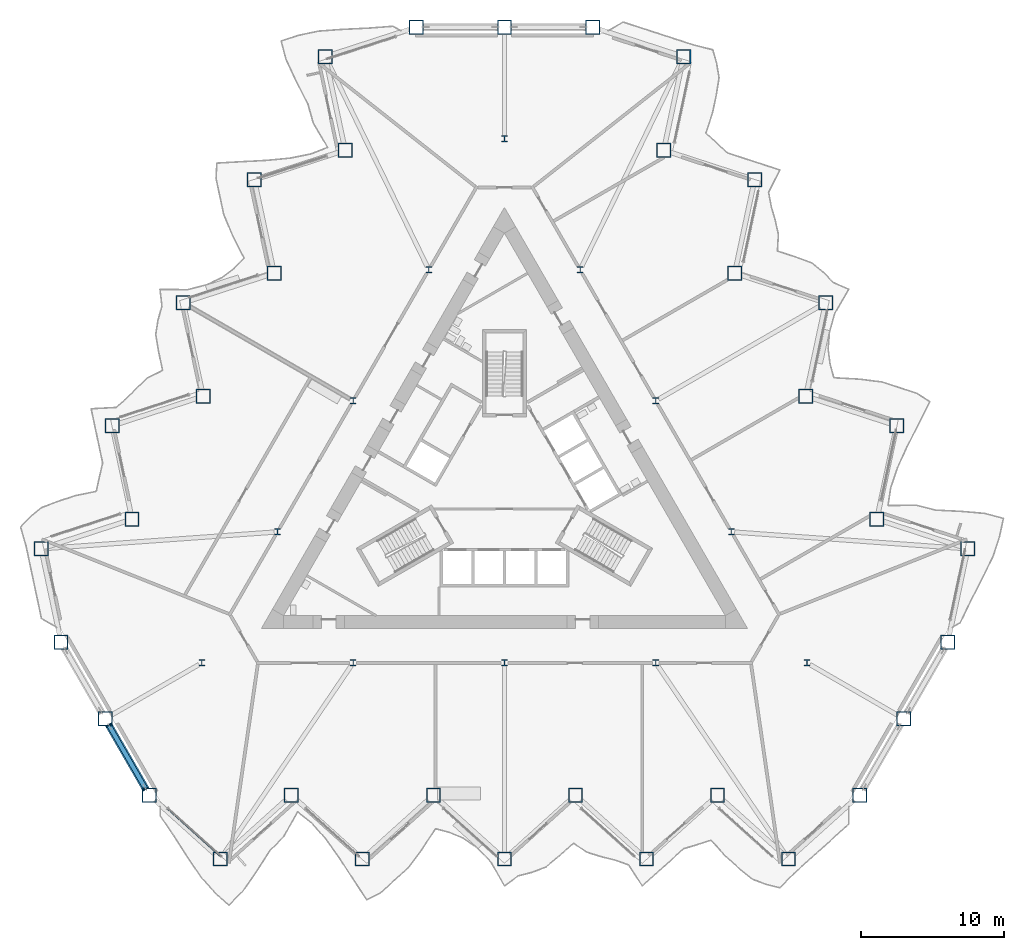
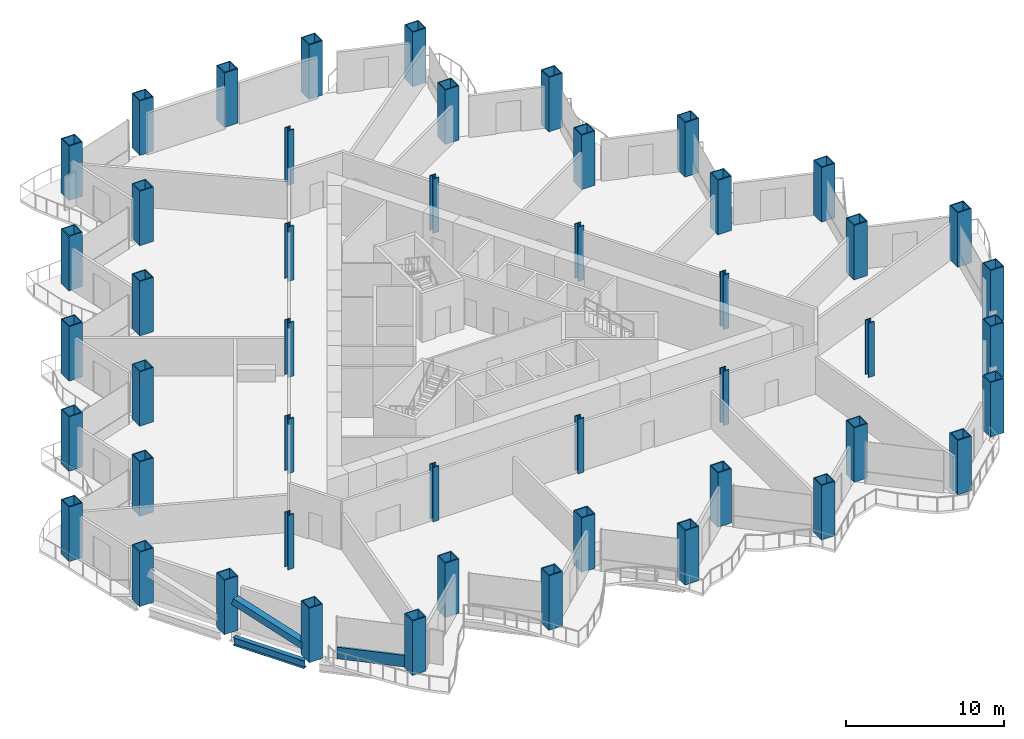
# One storey, part 1 of 20: 48 columns, 2 members, 1 beam, 1 element without a shape of its own.
"""IFC4 building model written with IfcOpenShell, lengths in metres."""

from ifc_helpers import new_model, si_unit, direction, frame, origin, origin_2d, place, context, subcontext, project, spatial, rectangle, hollow_rectangle, i_section, extrude, material, layer, layer_set, material_profile, profile_set, type_object, element, aggregate, save


model = new_model("IFC4")

# Units and contexts
model_context = context("Model", 3, precision=1e-05, world=origin(), true_north=direction((0.0, 1.0)))
body_context = subcontext(model_context, "Body", "Model", "MODEL_VIEW")
ifc_project = project(units=[si_unit("LENGTHUNIT", "METRE"), si_unit("AREAUNIT", "SQUARE_METRE"), si_unit("VOLUMEUNIT", "CUBIC_METRE"), si_unit("PLANEANGLEUNIT", "RADIAN"), si_unit("MASSUNIT", "GRAM", prefix="KILO")], contexts=[model_context])

# Site, building, storey
site_placement = place(None, origin())
site = spatial("IfcSite", under=ifc_project, at=site_placement, CompositionType="ELEMENT")
building_placement = place(site_placement, origin())
building = spatial("IfcBuilding", under=site, at=building_placement, Name="Cormorant Prow Tower", CompositionType="ELEMENT")
storey_placement = place(building_placement, frame((0.0, 0.0, 38.39990234375)))
storey = spatial("IfcBuildingStorey", under=building, at=storey_placement, Name="L07", CompositionType="ELEMENT", Elevation=38.39990234375)

# Columns
ifc_material_1 = material(Name="Structural steel ASTM A572 Gr 50", Category="steel")
ifc_material_profile_1 = material_profile(ifc_material_1, hollow_rectangle(XDim=1.0, YDim=1.0, WallThickness=0.070068359375, at=origin_2d()), Name="Box 1000x1000x70")
ifc_profile_set_1 = profile_set([ifc_material_profile_1], Name="Structural steel ASTM A572 Gr 50")
column_type_1 = type_object("IfcColumnType", Name="Perimeter box column 1000x1000x70", PredefinedType="COLUMN", material=ifc_profile_set_1)
for number, where, z_axis, x_axis, name in (
    (1, (-24.830322265625, -21.4599609375, 0.0), (0.0, 0.0, 1.0), (1.0, 0.0, 0.0), "Perimeter column C2 at S00 L07"),
    (2, (-19.8642578125, -25.931396484375, 0.0), (0.0, 0.0, 1.0), (1.0, 0.0, 0.0), "Perimeter column C2 at S01 L07"),
    (3, (-14.898193359375, -21.4599609375, 0.0), (0.0, 0.0, 1.0), (1.0, 0.0, 0.0), "Perimeter column C2 at S02 L07"),
    (4, (-9.93212890625, -25.931396484375, 0.0), (0.0, 0.0, 1.0), (1.0, 0.0, 0.0), "Perimeter column C2 at S03 L07"),
    (5, (-4.966064453125, -21.4599609375, 0.0), (0.0, 0.0, 1.0), (1.0, 0.0, 0.0), "Perimeter column C2 at S04 L07"),
    (6, (0.0, -25.931396484375, 0.0), (0.0, 0.0, 1.0), (1.0, 0.0, 0.0), "Perimeter column C2 at S05 L07"),
    (7, (4.966064453125, -21.4599609375, 0.0), (0.0, 0.0, 1.0), (1.0, 0.0, 0.0), "Perimeter column C2 at S06 L07"),
    (8, (9.93212890625, -25.931396484375, 0.0), (0.0, 0.0, 1.0), (1.0, 0.0, 0.0), "Perimeter column C2 at S07 L07"),
    (9, (14.898193359375, -21.4599609375, 0.0), (0.0, 0.0, 1.0), (1.0, 0.0, 0.0), "Perimeter column C2 at S08 L07"),
    (10, (19.8642578125, -25.931396484375, 0.0), (0.0, 0.0, 1.0), (1.0, 0.0, 0.0), "Perimeter column C2 at S09 L07"),
    (11, (24.830322265625, -21.4599609375, 0.0), (0.0, 0.0, 1.0), (1.0, 0.0, 0.0), "Perimeter column C2 at ESE00 L07"),
    (12, (27.915283203125, -16.116943359375, 0.0), (0.0, 0.0, 1.0), (1.0, 0.0, 0.0), "Perimeter column C2 at ESE01 L07"),
    (13, (31.0, -10.773681640625, 0.0), (0.0, 0.0, 1.0), (1.0, 0.0, 0.0), "Perimeter column C2 at ENE00 L07"),
    (14, (32.389404296875, -4.2373046875, 0.0), (0.0, 0.0, 1.0), (1.0, 0.0, 0.0), "Perimeter column C2 at ENE01 L07"),
    (15, (26.033935546875, -2.17236328125, 0.0), (0.0, 0.0, 1.0), (1.0, 0.0, 0.0), "Perimeter column C2 at ENE02 L07"),
    (16, (27.42333984375, 4.3642578125, 0.0), (0.0, 0.0, 1.0), (1.0, 0.0, 0.0), "Perimeter column C2 at ENE03 L07"),
    (17, (21.06787109375, 6.42919921875, 0.0), (0.0, 0.0, 1.0), (1.0, 0.0, 0.0), "Perimeter column C2 at ENE04 L07"),
    (18, (22.457275390625, 12.965576171875, 0.0), (0.0, 0.0, 1.0), (1.0, 0.0, 0.0), "Perimeter column C2 at ENE05 L07"),
    (19, (16.101806640625, 15.03076171875, 0.0), (0.0, 0.0, 1.0), (1.0, 0.0, 0.0), "Perimeter column C2 at ENE06 L07"),
    (20, (17.4912109375, 21.567138671875, 0.0), (0.0, 0.0, 1.0), (1.0, 0.0, 0.0), "Perimeter column C2 at ENE07 L07"),
    (21, (11.1357421875, 23.632080078125, 0.0), (0.0, 0.0, 1.0), (1.0, 0.0, 0.0), "Perimeter column C2 at ENE08 L07"),
    (22, (12.525146484375, 30.168701171875, 0.0), (0.0, 0.0, 1.0), (1.0, 0.0, 0.0), "Perimeter column C2 at ENE09 L07"),
    (23, (6.169677734375, 32.233642578125, 0.0), (0.0, 0.0, 1.0), (1.0, 0.0, 0.0), "Perimeter column C2 at N00 L07"),
    (24, (0.0, 32.233642578125, 0.0), (0.0, 0.0, 1.0), (1.0, 0.0, 0.0), "Perimeter column C2 at N01 L07"),
    (25, (-6.169677734375, 32.233642578125, 0.0), (0.0, 0.0, 1.0), (1.0, 0.0, 0.0), "Perimeter column C2 at WNW00 L07"),
    (26, (-12.525146484375, 30.168701171875, 0.0), (0.0, 0.0, 1.0), (1.0, 0.0, 0.0), "Perimeter column C2 at WNW01 L07"),
    (27, (-11.1357421875, 23.632080078125, 0.0), (0.0, 0.0, 1.0), (1.0, 0.0, 0.0), "Perimeter column C2 at WNW02 L07"),
    (28, (-17.4912109375, 21.567138671875, 0.0), (0.0, 0.0, 1.0), (1.0, 0.0, 0.0), "Perimeter column C2 at WNW03 L07"),
    (29, (-16.101806640625, 15.03076171875, 0.0), (0.0, 0.0, 1.0), (1.0, 0.0, 0.0), "Perimeter column C2 at WNW04 L07"),
    (30, (-22.457275390625, 12.965576171875, 0.0), (0.0, 0.0, 1.0), (1.0, 0.0, 0.0), "Perimeter column C2 at WNW05 L07"),
    (31, (-21.06787109375, 6.42919921875, 0.0), (0.0, 0.0, 1.0), (1.0, 0.0, 0.0), "Perimeter column C2 at WNW06 L07"),
    (32, (-27.42333984375, 4.3642578125, 0.0), (0.0, 0.0, 1.0), (1.0, 0.0, 0.0), "Perimeter column C2 at WNW07 L07"),
    (33, (-26.033935546875, -2.17236328125, 0.0), (0.0, 0.0, 1.0), (1.0, 0.0, 0.0), "Perimeter column C2 at WNW08 L07"),
    (34, (-32.389404296875, -4.2373046875, 0.0), (0.0, 0.0, 1.0), (1.0, 0.0, 0.0), "Perimeter column C2 at WNW09 L07"),
    (35, (-31.0, -10.773681640625, 0.0), (0.0, 0.0, 1.0), (1.0, 0.0, 0.0), "Perimeter column C2 at WSW00 L07"),
    (36, (-27.915283203125, -16.116943359375, 0.0), (0.0, 0.0, 1.0), (1.0, 0.0, 0.0), "Perimeter column C2 at WSW01 L07"),
):
    element("IfcColumn", number, at=place(storey_placement, frame(where, z_axis=z_axis, x_axis=x_axis)), inside=storey, type_object=column_type_1, Name=name, PredefinedType="COLUMN", context=body_context, shape_type="SweptSolid", body=[
        extrude(hollow_rectangle(XDim=1.0, YDim=1.0, WallThickness=0.070068359375, at=origin_2d()), origin(), (0.0, 0.0, 1.0), 4.2001953125),
    ])
ifc_material_2 = material(Name="Structural steel ASTM A992 Gr 50", Category="steel")
ifc_material_profile_2 = material_profile(ifc_material_2, i_section(OverallWidth=0.42138671875, OverallDepth=0.464599609375, WebThickness=0.044921875, FlangeThickness=0.072265625, at=origin_2d()), Name="W14x398")
ifc_profile_set_2 = profile_set([ifc_material_profile_2], Name="Structural steel ASTM A992 Gr 50")
column_type_2 = type_object("IfcColumnType", Name="Ring column W14x398", PredefinedType="COLUMN", material=ifc_profile_set_2)
for number, where, z_axis, x_axis, name in (
    (37, (0.0, 24.429931640625, 0.0), (0.0, 0.0, 1.0), (1.0, 0.0, 0.0), "Ring column 1 L07"),
    (38, (-5.289306640625, 15.268798828125, 0.0), (0.0, 0.0, 1.0), (1.0, 0.0, 0.0), "Ring column 2 L07"),
    (39, (-10.578369140625, 6.107421875, 0.0), (0.0, 0.0, 1.0), (1.0, 0.0, 0.0), "Ring column 3 L07"),
    (40, (-15.86767578125, -3.0537109375, 0.0), (0.0, 0.0, 1.0), (1.0, 0.0, 0.0), "Ring column 4 L07"),
    (41, (-21.156982421875, -12.21484375, 0.0), (0.0, 0.0, 1.0), (1.0, 0.0, 0.0), "Ring column 5 L07"),
    (42, (-10.578369140625, -12.21484375, 0.0), (0.0, 0.0, 1.0), (1.0, 0.0, 0.0), "Ring column 6 L07"),
    (43, (0.0, -12.21484375, 0.0), (0.0, 0.0, 1.0), (1.0, 0.0, 0.0), "Ring column 7 L07"),
    (44, (10.578369140625, -12.21484375, 0.0), (0.0, 0.0, 1.0), (1.0, 0.0, 0.0), "Ring column 8 L07"),
    (45, (21.156982421875, -12.21484375, 0.0), (0.0, 0.0, 1.0), (1.0, 0.0, 0.0), "Ring column 9 L07"),
    (46, (15.86767578125, -3.0537109375, 0.0), (0.0, 0.0, 1.0), (1.0, 0.0, 0.0), "Ring column 10 L07"),
    (47, (10.578369140625, 6.107421875, 0.0), (0.0, 0.0, 1.0), (1.0, 0.0, 0.0), "Ring column 11 L07"),
    (48, (5.289306640625, 15.268798828125, 0.0), (0.0, 0.0, 1.0), (1.0, 0.0, 0.0), "Ring column 12 L07"),
):
    element("IfcColumn", number, at=place(storey_placement, frame(where, z_axis=z_axis, x_axis=x_axis)), inside=storey, type_object=column_type_2, Name=name, PredefinedType="COLUMN", context=body_context, shape_type="SweptSolid", body=[
        extrude(i_section(OverallWidth=0.42138671875, OverallDepth=0.464599609375, WebThickness=0.044921875, FlangeThickness=0.072265625, at=origin_2d()), origin(), (0.0, 0.0, 1.0), 4.2001953125),
    ])

# Member
ifc_material_3 = material(Name="Structural steel ASTM A500 Gr C", Category="steel")
ifc_material_profile_3 = material_profile(ifc_material_3, hollow_rectangle(XDim=0.508056640625, YDim=0.508056640625, WallThickness=0.014892578125, at=origin_2d()), Name="HSS20x20x5/8")
ifc_profile_set_3 = profile_set([ifc_material_profile_3], Name="Structural steel ASTM A500 Gr C")
member_type_1 = type_object("IfcMemberType", Name="Chamfer brace HSS20x20x5/8", PredefinedType="BRACE", material=ifc_profile_set_3)
member_1_placement = place(storey_placement, frame((-25.089599609375, -21.0107421875, 0.767333984375), z_axis=(-0.47589308504, 0.824244468952, 0.306833549359), x_axis=(-0.866018434186, -0.500012071504, 0.0)))
element("IfcMember", 49, at=member_1_placement, inside=storey, type_object=member_type_1, Name="Chamfer brace BR1 at WSW01 L07", PredefinedType="BRACE", context=body_context, shape_type="SweptSolid", body=[
    extrude(hollow_rectangle(XDim=0.508056640625, YDim=0.508056640625, WallThickness=0.014892578125, at=origin_2d()), origin(), (0.0, 0.0, 1.0), 5.392333984375),
])

# Curtain wall, member
ifc_material_4 = material(Name="Aluminium 6063-T6", Category="aluminium")
ifc_layer = layer(ifc_material_4, 0.199951171875)
ifc_layer_set = layer_set([ifc_layer], Name="Aluminium 6063-T6")
curtain_wall_type = type_object("IfcCurtainWallType", Name="Office unitised curtain wall 200", PredefinedType="NOTDEFINED", material=ifc_layer_set)
curtain_wall_placement = place(storey_placement, origin())
curtain_wall = element("IfcCurtainWall", 50, at=curtain_wall_placement, inside=storey, type_object=curtain_wall_type, Name="Office curtain wall S00", PredefinedType="NOTDEFINED")
ifc_material_5 = material(Name="Terracotta", Category="masonry")
ifc_material_profile_4 = material_profile(ifc_material_5, rectangle(XDim=0.159912109375, YDim=0.89990234375, at=origin_2d()), Name="Office terracotta spandrel rail 160x900")
ifc_profile_set_4 = profile_set([ifc_material_profile_4], Name="Terracotta")
member_type_2 = type_object("IfcMemberType", Name="Office terracotta spandrel rail 160x900", PredefinedType="USERDEFINED", material=ifc_profile_set_4)
member_2_placement = place(storey_placement, frame((-23.520751953125, -22.399169921875, 0.4501953125), z_axis=(0.743124733633, -0.669152919938, 0.0), x_axis=(0.669152919938, 0.743124733633, 0.0)))
member_2 = element("IfcMember", 51, at=member_2_placement, type_object=member_type_2, Name="Office spandrel rail S00", ObjectType="TRANSOM", PredefinedType="USERDEFINED", context=body_context, shape_type="SweptSolid", body=[
    extrude(rectangle(XDim=0.159912109375, YDim=0.89990234375, at=origin_2d()), origin(), (0.0, 0.0, 1.0), 5.0166015625),
])
aggregate(curtain_wall, [member_2])

# Beam
ifc_material_6 = material(Name="Structural steel ASTM A992 Gr 50", Category="steel")
ifc_material_profile_5 = material_profile(ifc_material_6, i_section(OverallWidth=0.32373046875, OverallDepth=0.611083984375, WebThickness=0.0126953125, FlangeThickness=0.01904296875, at=origin_2d()), Name="W24x104")
ifc_profile_set_5 = profile_set([ifc_material_profile_5], Name="Structural steel ASTM A992 Gr 50")
beam_type = type_object("IfcBeamType", Name="Spandrel beam W24x104", PredefinedType="SPANDREL", material=ifc_profile_set_5)
beam_placement = place(storey_placement, frame((-27.665283203125, -16.5498046875, -0.70556640625), z_axis=(0.500019507279, -0.866014140959, 0.0), x_axis=(0.866014140959, 0.500019507279, 0.0)))
element("IfcBeam", 52, at=beam_placement, inside=storey, type_object=beam_type, Name="Spandrel beam SB1 WSW01-S00 L07", PredefinedType="SPANDREL", context=body_context, shape_type="SweptSolid", body=[
    extrude(i_section(OverallWidth=0.32373046875, OverallDepth=0.611083984375, WebThickness=0.0126953125, FlangeThickness=0.01904296875, at=origin_2d()), origin(), (0.0, 0.0, 1.0), 5.169677734375),
])

save(model, "model.ifc")
